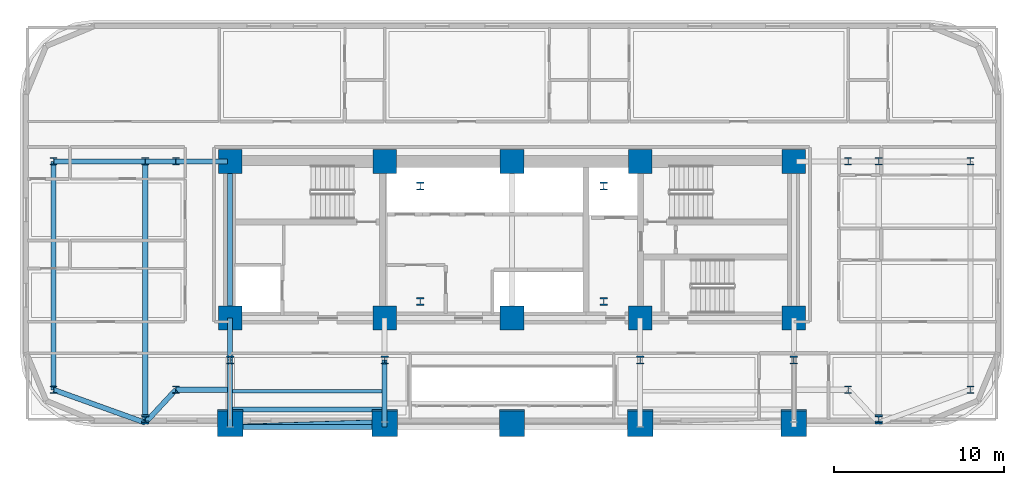
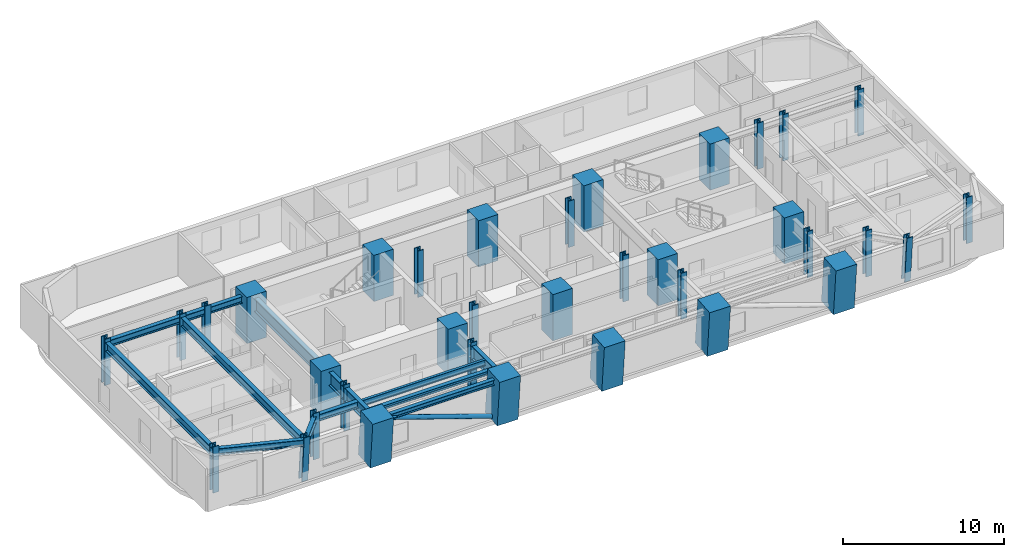
# One storey, part 1 of 15: 35 columns, 15 beams, 1 member.
"""IFC4 building model written with IfcOpenShell, lengths in metres."""

from ifc_helpers import new_model, si_unit, direction, frame, origin, origin_2d, place, context, subcontext, project, spatial, rectangle, hollow_circle, i_section, extrude, material, material_profile, profile_set, type_object, element, save


model = new_model("IFC4")

# Units and contexts
model_context = context("Model", 3, precision=1e-05, world=origin(), true_north=direction((0.0, 1.0)))
body_context = subcontext(model_context, "Body", "Model", "MODEL_VIEW")
ifc_project = project(units=[si_unit("LENGTHUNIT", "METRE"), si_unit("AREAUNIT", "SQUARE_METRE"), si_unit("VOLUMEUNIT", "CUBIC_METRE"), si_unit("PLANEANGLEUNIT", "RADIAN"), si_unit("MASSUNIT", "GRAM", prefix="KILO")], contexts=[model_context])

# Site, building, storey
site_placement = place(None, origin())
site = spatial("IfcSite", under=ifc_project, at=site_placement, CompositionType="ELEMENT")
building_placement = place(site_placement, origin())
building = spatial("IfcBuilding", under=site, at=building_placement, Name="Zarnavel Station Tower", CompositionType="ELEMENT")
storey_placement = place(building_placement, frame((0.0, 0.0, 50.0)))
storey = spatial("IfcBuildingStorey", under=building, at=storey_placement, Name="L13", CompositionType="ELEMENT", Elevation=50.0)

# Columns
ifc_material_1 = material(Name="Steel S460M", Category="steel")
ifc_material_profile_1 = material_profile(ifc_material_1, i_section(OverallWidth=0.424072265625, OverallDepth=0.449951171875, WebThickness=0.041015625, FlangeThickness=0.06494140625, FilletRadius=0.014892578125, at=origin_2d()), Name="HD400x509")
ifc_profile_set_1 = profile_set([ifc_material_profile_1], Name="Steel S460M")
column_type_1 = type_object("IfcColumnType", Name="EC_HD509", PredefinedType="COLUMN", material=ifc_profile_set_1)
for number, where, z_axis, x_axis, name in (
    (1, (1.800048828125, 23.60009765625, 0.0), (0.0, 0.0, 1.0), (1.0, 0.0, 0.0), "L13 Outer Wing South Column 1"),
    (2, (1.800048828125, 37.050048828125, 0.0), (0.0, 0.0, 1.0), (1.0, 0.0, 0.0), "L13 Outer Wing North Column 1"),
):
    element("IfcColumn", number, at=place(storey_placement, frame(where, z_axis=z_axis, x_axis=x_axis)), inside=storey, type_object=column_type_1, Name=name, PredefinedType="COLUMN", context=body_context, shape_type="SweptSolid", body=[
        extrude(i_section(OverallWidth=0.424072265625, OverallDepth=0.449951171875, WebThickness=0.041015625, FlangeThickness=0.06494140625, FilletRadius=0.014892578125, at=origin_2d()), origin(), (0.0, 0.0, 1.0), 3.5),
    ])
for number, where, z_axis, x_axis, name in (
    (3, (7.199951171875, 21.9169921875, 0.0), (0.0, -0.079960777917, 0.996798010629), (1.0, 0.0, 0.0), "L13 Raked Wing Column 2"),
    (4, (50.39990234375, 21.9169921875, 0.0), (0.0, -0.079960777917, 0.996798010629), (1.0, 0.0, 0.0), "L13 Raked Wing Column 3"),
):
    element("IfcColumn", number, at=place(storey_placement, frame(where, z_axis=z_axis, x_axis=x_axis)), inside=storey, type_object=column_type_1, Name=name, PredefinedType="COLUMN", context=body_context, shape_type="SweptSolid", body=[
        extrude(i_section(OverallWidth=0.424072265625, OverallDepth=0.449951171875, WebThickness=0.041015625, FlangeThickness=0.06494140625, FilletRadius=0.014892578125, at=origin_2d()), origin(), (0.0, 0.0, 1.0), 3.51123046875),
    ])
for number, where, z_axis, x_axis, name in (
    (5, (55.800048828125, 23.60009765625, 0.0), (0.0, 0.0, 1.0), (1.0, 0.0, 0.0), "L13 Outer Wing South Column 4"),
    (6, (55.800048828125, 37.050048828125, 0.0), (0.0, 0.0, 1.0), (1.0, 0.0, 0.0), "L13 Outer Wing North Column 4"),
):
    element("IfcColumn", number, at=place(storey_placement, frame(where, z_axis=z_axis, x_axis=x_axis)), inside=storey, type_object=column_type_1, Name=name, PredefinedType="COLUMN", context=body_context, shape_type="SweptSolid", body=[
        extrude(i_section(OverallWidth=0.424072265625, OverallDepth=0.449951171875, WebThickness=0.041015625, FlangeThickness=0.06494140625, FilletRadius=0.014892578125, at=origin_2d()), origin(), (0.0, 0.0, 1.0), 3.5),
    ])
ifc_material_2 = material(Name="Steel S460M", Category="steel")
ifc_material_profile_2 = material_profile(ifc_material_2, i_section(OverallWidth=0.424072265625, OverallDepth=0.449951171875, WebThickness=0.041015625, FlangeThickness=0.06494140625, FilletRadius=0.014892578125, at=origin_2d()), Name="HD400x509")
ifc_profile_set_2 = profile_set([ifc_material_profile_2], Name="Steel S460M")
column_type_2 = type_object("IfcColumnType", Name="IC_HD509", PredefinedType="COLUMN", material=ifc_profile_set_2)
for number, where, z_axis, x_axis, name in (
    (7, (23.39990234375, 28.800048828125, 0.0), (0.0, 0.0, 1.0), (1.0, 0.0, 0.0), "L13 Mast Spine Column 1"),
    (8, (34.199951171875, 28.800048828125, 0.0), (0.0, 0.0, 1.0), (1.0, 0.0, 0.0), "L13 Mast Spine Column 2"),
    (9, (34.199951171875, 35.60009765625, 0.0), (0.0, 0.0, 1.0), (1.0, 0.0, 0.0), "L13 Mast Spine Column 3"),
    (10, (23.39990234375, 35.60009765625, 0.0), (0.0, 0.0, 1.0), (1.0, 0.0, 0.0), "L13 Mast Spine Column 4"),
    (11, (12.199951171875, 25.35009765625, 0.0), (0.0, 0.0, 1.0), (1.0, 0.0, 0.0), "L13 Inner Spine Column 1"),
    (12, (21.300048828125, 25.35009765625, 0.0), (0.0, 0.0, 1.0), (1.0, 0.0, 0.0), "L13 Inner Spine Column 2"),
    (13, (36.35009765625, 25.35009765625, 0.0), (0.0, 0.0, 1.0), (1.0, 0.0, 0.0), "L13 Inner Spine Column 4"),
    (14, (45.39990234375, 25.35009765625, 0.0), (0.0, 0.0, 1.0), (1.0, 0.0, 0.0), "L13 Inner Spine Column 5"),
    (15, (9.0, 23.60009765625, 0.0), (0.0, 0.0, 1.0), (1.0, 0.0, 0.0), "L13 Inner Wing Spine Column 1-1"),
    (16, (9.0, 37.050048828125, 0.0), (0.0, 0.0, 1.0), (1.0, 0.0, 0.0), "L13 Inner Wing Spine Column 1-2"),
    (17, (48.60009765625, 23.60009765625, 0.0), (0.0, 0.0, 1.0), (1.0, 0.0, 0.0), "L13 Inner Wing Spine Column 2-1"),
    (18, (48.60009765625, 37.050048828125, 0.0), (0.0, 0.0, 1.0), (1.0, 0.0, 0.0), "L13 Inner Wing Spine Column 2-2"),
    (19, (7.199951171875, 37.050048828125, 0.0), (0.0, 0.0, 1.0), (1.0, 0.0, 0.0), "L13 Outer Wing North Column 2"),
    (20, (50.39990234375, 37.050048828125, 0.0), (0.0, 0.0, 1.0), (1.0, 0.0, 0.0), "L13 Outer Wing North Column 3"),
):
    element("IfcColumn", number, at=place(storey_placement, frame(where, z_axis=z_axis, x_axis=x_axis)), inside=storey, type_object=column_type_2, Name=name, PredefinedType="COLUMN", context=body_context, shape_type="SweptSolid", body=[
        extrude(i_section(OverallWidth=0.424072265625, OverallDepth=0.449951171875, WebThickness=0.041015625, FlangeThickness=0.06494140625, FilletRadius=0.014892578125, at=origin_2d()), origin(), (0.0, 0.0, 1.0), 3.5),
    ])
ifc_material_3 = material(Name="Concrete C60/75", Category="concrete")
ifc_material_profile_3 = material_profile(ifc_material_3, rectangle(XDim=1.39990234375, YDim=1.39990234375, at=origin_2d()), Name="RC1400x1400")
ifc_profile_set_3 = profile_set([ifc_material_profile_3], Name="Concrete C60/75")
column_type_3 = type_object("IfcColumnType", Name="IC_RC1400", PredefinedType="COLUMN", material=ifc_profile_set_3)
for number, where, z_axis, x_axis, name in (
    (21, (12.199951171875, 27.820068359375, 0.0), (0.0, 0.0, 1.0), (1.0, 0.0, 0.0), "L13 Core Spine Column 1-1"),
    (22, (12.199951171875, 37.050048828125, 0.0), (0.0, 0.0, 1.0), (1.0, 0.0, 0.0), "L13 Core Spine Column 1-2"),
    (23, (21.300048828125, 27.820068359375, 0.0), (0.0, 0.0, 1.0), (1.0, 0.0, 0.0), "L13 Core Spine Column 2-1"),
    (24, (21.300048828125, 37.050048828125, 0.0), (0.0, 0.0, 1.0), (1.0, 0.0, 0.0), "L13 Core Spine Column 2-2"),
    (25, (28.800048828125, 27.820068359375, 0.0), (0.0, 0.0, 1.0), (1.0, 0.0, 0.0), "L13 Core Spine Column 3-1"),
    (26, (28.800048828125, 37.050048828125, 0.0), (0.0, 0.0, 1.0), (1.0, 0.0, 0.0), "L13 Core Spine Column 3-2"),
    (27, (36.35009765625, 27.820068359375, 0.0), (0.0, 0.0, 1.0), (1.0, 0.0, 0.0), "L13 Core Spine Column 4-1"),
    (28, (36.35009765625, 37.050048828125, 0.0), (0.0, 0.0, 1.0), (1.0, 0.0, 0.0), "L13 Core Spine Column 4-2"),
    (29, (45.39990234375, 27.820068359375, 0.0), (0.0, 0.0, 1.0), (1.0, 0.0, 0.0), "L13 Core Spine Column 5-1"),
    (30, (45.39990234375, 37.050048828125, 0.0), (0.0, 0.0, 1.0), (1.0, 0.0, 0.0), "L13 Core Spine Column 5-2"),
):
    element("IfcColumn", number, at=place(storey_placement, frame(where, z_axis=z_axis, x_axis=x_axis)), inside=storey, type_object=column_type_3, Name=name, PredefinedType="COLUMN", context=body_context, shape_type="SweptSolid", body=[
        extrude(rectangle(XDim=1.39990234375, YDim=1.39990234375, at=origin_2d()), origin(), (0.0, 0.0, 1.0), 3.5),
    ])
ifc_material_4 = material(Name="Concrete C60/75", Category="concrete")
ifc_material_profile_4 = material_profile(ifc_material_4, rectangle(XDim=1.5, YDim=1.5, at=origin_2d()), Name="RC1500x1500")
ifc_profile_set_4 = profile_set([ifc_material_profile_4], Name="Concrete C60/75")
column_type_4 = type_object("IfcColumnType", Name="MC_RC1500", PredefinedType="COLUMN", material=ifc_profile_set_4)
for number, where, z_axis, x_axis, name in (
    (31, (12.199951171875, 21.697021484375, 0.0), (0.0, -0.090241349316, 0.995919925935), (1.0, 0.0, 0.0), "L13 Raked South Mega-Column 1"),
    (32, (21.300048828125, 21.697021484375, 0.0), (0.0, -0.090241349316, 0.995919925935), (1.0, 0.0, 0.0), "L13 Raked South Mega-Column 2"),
    (33, (28.800048828125, 21.697021484375, 0.0), (0.0, -0.090241349316, 0.995919925935), (1.0, 0.0, 0.0), "L13 Raked South Mega-Column 3"),
    (34, (36.35009765625, 21.697021484375, 0.0), (0.0, -0.090241349316, 0.995919925935), (1.0, 0.0, 0.0), "L13 Raked South Mega-Column 4"),
    (35, (45.39990234375, 21.697021484375, 0.0), (0.0, -0.090241349316, 0.995919925935), (1.0, 0.0, 0.0), "L13 Raked South Mega-Column 5"),
):
    element("IfcColumn", number, at=place(storey_placement, frame(where, z_axis=z_axis, x_axis=x_axis)), inside=storey, type_object=column_type_4, Name=name, PredefinedType="COLUMN", context=body_context, shape_type="SweptSolid", body=[
        extrude(rectangle(XDim=1.5, YDim=1.5, at=origin_2d()), origin(), (0.0, 0.0, 1.0), 3.514404296875),
    ])

# Member
ifc_material_5 = material(Name="Steel S355J2", Category="steel")
ifc_material_profile_5 = material_profile(ifc_material_5, hollow_circle(Radius=0.161865234375, WallThickness=0.012451171875, at=origin_2d()), Name="CHS323.9x12.5")
ifc_profile_set_5 = profile_set([ifc_material_profile_5], Name="Steel S355J2")
member_type = type_object("IfcMemberType", Name="DB_EXT_CHS324", PredefinedType="BRACE", material=ifc_profile_set_5)
member_placement = place(storey_placement, frame((21.300048828125, 21.697021484375, 0.0), z_axis=(-0.941635675338, -0.030390827854, 0.335259082669), x_axis=(0.032257711549, -0.999479584607, 0.0)))
element("IfcMember", 36, at=member_placement, inside=storey, type_object=member_type, Name="L13 Persian Exterior Diagonal Frame Brace 1", PredefinedType="BRACE", context=body_context, shape_type="SweptSolid", body=[
    extrude(hollow_circle(Radius=0.161865234375, WallThickness=0.012451171875, at=origin_2d()), origin(), (0.0, 0.0, 1.0), 9.6640625),
])

# Beams
ifc_material_6 = material(Name="Steel S355J2", Category="steel")
ifc_material_profile_6 = material_profile(ifc_material_6, i_section(OverallWidth=0.300048828125, OverallDepth=0.39990234375, WebThickness=0.013427734375, FlangeThickness=0.02392578125, FilletRadius=0.027099609375, at=origin_2d()), Name="HEB400")
ifc_profile_set_6 = profile_set([ifc_material_profile_6], Name="Steel S355J2")
beam_type_1 = type_object("IfcBeamType", Name="EB_HEB400", PredefinedType="SPANDREL", material=ifc_profile_set_6)
beam_1_placement = place(storey_placement, frame((12.199951171875, 21.4033203125, 3.0400390625), z_axis=(1.0, 0.0, 0.0), x_axis=(0.0, 1.0, 0.0)))
element("IfcBeam", 37, at=beam_1_placement, inside=storey, type_object=beam_type_1, Name="L13 South Raked Spandrel 1", PredefinedType="SPANDREL", context=body_context, shape_type="SweptSolid", body=[
    extrude(i_section(OverallWidth=0.300048828125, OverallDepth=0.39990234375, WebThickness=0.013427734375, FlangeThickness=0.02392578125, FilletRadius=0.027099609375, at=origin_2d()), origin(), (0.0, 0.0, 1.0), 9.10009765625),
])
ifc_material_7 = material(Name="Steel S355J2", Category="steel")
ifc_material_profile_7 = material_profile(ifc_material_7, i_section(OverallWidth=0.300048828125, OverallDepth=0.31005859375, WebThickness=0.009033203125, FlangeThickness=0.015380859375, FilletRadius=0.027099609375, at=origin_2d()), Name="HEA320")
ifc_profile_set_7 = profile_set([ifc_material_profile_7], Name="Steel S355J2")
beam_type_2 = type_object("IfcBeamType", Name="FB_HEA320", PredefinedType="BEAM", material=ifc_profile_set_7)
beam_2_placement = place(storey_placement, frame((12.344970703125, 22.435546875, 3.0849609375), z_axis=(1.0, 0.0, 0.0), x_axis=(0.0, 1.0, 0.0)))
element("IfcBeam", 38, at=beam_2_placement, inside=storey, type_object=beam_type_2, Name="L13 West Bay Beam 1", PredefinedType="BEAM", context=body_context, shape_type="SweptSolid", body=[
    extrude(i_section(OverallWidth=0.300048828125, OverallDepth=0.31005859375, WebThickness=0.009033203125, FlangeThickness=0.015380859375, FilletRadius=0.027099609375, at=origin_2d()), origin(), (0.0, 0.0, 1.0), 8.81005859375),
])
ifc_material_8 = material(Name="Steel S355J2", Category="steel")
ifc_material_profile_8 = material_profile(ifc_material_8, i_section(OverallWidth=0.18994140625, OverallDepth=0.449951171875, WebThickness=0.009521484375, FlangeThickness=0.0146484375, FilletRadius=0.02099609375, at=origin_2d()), Name="IPE450")
ifc_profile_set_8 = profile_set([ifc_material_profile_8], Name="Steel S355J2")
beam_type_3 = type_object("IfcBeamType", Name="FB_IPE450", PredefinedType="BEAM", material=ifc_profile_set_8)
beam_3_placement = place(storey_placement, frame((12.344970703125, 23.517822265625, 3.014892578125), z_axis=(1.0, 0.0, 0.0), x_axis=(0.0, 1.0, 0.0)))
element("IfcBeam", 39, at=beam_3_placement, inside=storey, type_object=beam_type_3, Name="L13 West Bay Beam 2", PredefinedType="BEAM", context=body_context, shape_type="SweptSolid", body=[
    extrude(i_section(OverallWidth=0.18994140625, OverallDepth=0.449951171875, WebThickness=0.009521484375, FlangeThickness=0.0146484375, FilletRadius=0.02099609375, at=origin_2d()), origin(), (0.0, 0.0, 1.0), 8.81005859375),
])
ifc_material_9 = material(Name="Steel S355J2", Category="steel")
ifc_material_profile_9 = material_profile(ifc_material_9, i_section(OverallWidth=0.300048828125, OverallDepth=0.5, WebThickness=0.014404296875, FlangeThickness=0.028076171875, FilletRadius=0.027099609375, at=origin_2d()), Name="HEB500")
ifc_profile_set_9 = profile_set([ifc_material_profile_9], Name="Steel S355J2")
beam_type_4 = type_object("IfcBeamType", Name="FG_HEB500", PredefinedType="USERDEFINED", material=ifc_profile_set_9)
beam_4_placement = place(storey_placement, frame((1.800048828125, 23.60009765625, 2.989990234375), z_axis=(0.940948136863, -0.338550740264, 0.0), x_axis=(0.338550740264, 0.940948136863, 0.0)))
element("IfcBeam", 40, at=beam_4_placement, inside=storey, type_object=beam_type_4, Name="L13 West Wing South Tie 1", ObjectType="GIRDER", PredefinedType="USERDEFINED", context=body_context, shape_type="SweptSolid", body=[
    extrude(i_section(OverallWidth=0.300048828125, OverallDepth=0.5, WebThickness=0.014404296875, FlangeThickness=0.028076171875, FilletRadius=0.027099609375, at=origin_2d()), origin(), (0.0, 0.0, 1.0), 5.73876953125),
])
beam_5_placement = place(storey_placement, frame((1.800048828125, 37.050048828125, 2.989990234375), z_axis=(1.0, 0.0, 0.0), x_axis=(0.0, 1.0, 0.0)))
element("IfcBeam", 41, at=beam_5_placement, inside=storey, type_object=beam_type_4, Name="L13 West Wing North Tie 1", ObjectType="GIRDER", PredefinedType="USERDEFINED", context=body_context, shape_type="SweptSolid", body=[
    extrude(i_section(OverallWidth=0.300048828125, OverallDepth=0.5, WebThickness=0.014404296875, FlangeThickness=0.028076171875, FilletRadius=0.027099609375, at=origin_2d()), origin(), (0.0, 0.0, 1.0), 5.39990234375),
])
beam_6_placement = place(storey_placement, frame((7.199951171875, 21.6572265625, 2.989990234375), z_axis=(0.67963041271, 0.733554702882, 0.0), x_axis=(-0.733554702882, 0.67963041271, 0.0)))
element("IfcBeam", 42, at=beam_6_placement, inside=storey, type_object=beam_type_4, Name="L13 West Wing South Tie 2", ObjectType="GIRDER", PredefinedType="USERDEFINED", context=body_context, shape_type="SweptSolid", body=[
    extrude(i_section(OverallWidth=0.300048828125, OverallDepth=0.5, WebThickness=0.014404296875, FlangeThickness=0.028076171875, FilletRadius=0.027099609375, at=origin_2d()), origin(), (0.0, 0.0, 1.0), 2.648681640625),
])
beam_7_placement = place(storey_placement, frame((7.199951171875, 37.050048828125, 2.989990234375), z_axis=(1.0, 0.0, 0.0), x_axis=(0.0, 1.0, 0.0)))
element("IfcBeam", 43, at=beam_7_placement, inside=storey, type_object=beam_type_4, Name="L13 West Wing North Tie 2", ObjectType="GIRDER", PredefinedType="USERDEFINED", context=body_context, shape_type="SweptSolid", body=[
    extrude(i_section(OverallWidth=0.300048828125, OverallDepth=0.5, WebThickness=0.014404296875, FlangeThickness=0.028076171875, FilletRadius=0.027099609375, at=origin_2d()), origin(), (0.0, 0.0, 1.0), 1.800048828125),
])
for number, where, z_axis, x_axis, name in (
    (44, (9.0, 23.60009765625, 2.989990234375), (1.0, 0.0, 0.0), (0.0, 1.0, 0.0), "L13 West Wing South Tie 3"),
    (45, (9.0, 37.050048828125, 2.989990234375), (1.0, 0.0, 0.0), (0.0, 1.0, 0.0), "L13 West Wing North Tie 3"),
):
    element("IfcBeam", number, at=place(storey_placement, frame(where, z_axis=z_axis, x_axis=x_axis)), inside=storey, type_object=beam_type_4, Name=name, ObjectType="GIRDER", PredefinedType="USERDEFINED", context=body_context, shape_type="SweptSolid", body=[
        extrude(i_section(OverallWidth=0.300048828125, OverallDepth=0.5, WebThickness=0.014404296875, FlangeThickness=0.028076171875, FilletRadius=0.027099609375, at=origin_2d()), origin(), (0.0, 0.0, 1.0), 3.054931640625),
    ])
ifc_material_10 = material(Name="Steel S355J2", Category="steel")
ifc_material_profile_10 = material_profile(ifc_material_10, i_section(OverallWidth=0.300048828125, OverallDepth=0.64990234375, WebThickness=0.01611328125, FlangeThickness=0.031005859375, FilletRadius=0.027099609375, at=origin_2d()), Name="HEB650")
ifc_profile_set_10 = profile_set([ifc_material_profile_10], Name="Steel S355J2")
beam_type_5 = type_object("IfcBeamType", Name="FG_HEB650", PredefinedType="USERDEFINED", material=ifc_profile_set_10)
beam_8_placement = place(storey_placement, frame((1.800048828125, 23.60009765625, 2.9150390625), z_axis=(0.0, 1.0, 0.0), x_axis=(-1.0, 0.0, 0.0)))
element("IfcBeam", 46, at=beam_8_placement, inside=storey, type_object=beam_type_5, Name="L13 Wing NS Girder 1", ObjectType="GIRDER", PredefinedType="USERDEFINED", context=body_context, shape_type="SweptSolid", body=[
    extrude(i_section(OverallWidth=0.300048828125, OverallDepth=0.64990234375, WebThickness=0.01611328125, FlangeThickness=0.031005859375, FilletRadius=0.027099609375, at=origin_2d()), origin(), (0.0, 0.0, 1.0), 13.449951171875),
])
beam_9_placement = place(storey_placement, frame((7.199951171875, 21.6572265625, 2.9150390625), z_axis=(0.0, 1.0, 0.0), x_axis=(-1.0, 0.0, 0.0)))
element("IfcBeam", 47, at=beam_9_placement, inside=storey, type_object=beam_type_5, Name="L13 Wing NS Girder 2", ObjectType="GIRDER", PredefinedType="USERDEFINED", context=body_context, shape_type="SweptSolid", body=[
    extrude(i_section(OverallWidth=0.300048828125, OverallDepth=0.64990234375, WebThickness=0.01611328125, FlangeThickness=0.031005859375, FilletRadius=0.027099609375, at=origin_2d()), origin(), (0.0, 0.0, 1.0), 15.392822265625),
])
ifc_material_11 = material(Name="Steel S460M", Category="steel")
ifc_material_profile_11 = material_profile(ifc_material_11, i_section(OverallWidth=0.302001953125, OverallDepth=1.008056640625, WebThickness=0.02099609375, FlangeThickness=0.0400390625, FilletRadius=0.030029296875, at=origin_2d()), Name="HEM1000")
ifc_profile_set_11 = profile_set([ifc_material_profile_11], Name="Steel S460M")
beam_type_6 = type_object("IfcBeamType", Name="TG_HEM1000", PredefinedType="USERDEFINED", material=ifc_profile_set_11)
beam_10_placement = place(storey_placement, frame((12.199951171875, 27.820068359375, 2.736083984375), z_axis=(0.0, 1.0, 0.0), x_axis=(-1.0, 0.0, 0.0)))
element("IfcBeam", 48, at=beam_10_placement, inside=storey, type_object=beam_type_6, Name="L13 Core Spine Coupling Girder 1", ObjectType="GIRDER", PredefinedType="USERDEFINED", context=body_context, shape_type="SweptSolid", body=[
    extrude(i_section(OverallWidth=0.302001953125, OverallDepth=1.008056640625, WebThickness=0.02099609375, FlangeThickness=0.0400390625, FilletRadius=0.030029296875, at=origin_2d()), origin(), (0.0, 0.0, 1.0), 9.22998046875),
])
beam_11_placement = place(storey_placement, frame((12.199951171875, 21.4033203125, 2.736083984375), z_axis=(0.0, 1.0, 0.0), x_axis=(-1.0, 0.0, 0.0)))
element("IfcBeam", 49, at=beam_11_placement, inside=storey, type_object=beam_type_6, Name="L13 South-Zone NS Girder 1", ObjectType="GIRDER", PredefinedType="USERDEFINED", context=body_context, shape_type="SweptSolid", body=[
    extrude(i_section(OverallWidth=0.302001953125, OverallDepth=1.008056640625, WebThickness=0.02099609375, FlangeThickness=0.0400390625, FilletRadius=0.030029296875, at=origin_2d()), origin(), (0.0, 0.0, 1.0), 3.94677734375),
])
beam_12_placement = place(storey_placement, frame((12.199951171875, 25.35009765625, 2.736083984375), z_axis=(0.0, 1.0, 0.0), x_axis=(-1.0, 0.0, 0.0)))
element("IfcBeam", 50, at=beam_12_placement, inside=storey, type_object=beam_type_6, Name="L13 Inner-Zone NS Girder 1", ObjectType="GIRDER", PredefinedType="USERDEFINED", context=body_context, shape_type="SweptSolid", body=[
    extrude(i_section(OverallWidth=0.302001953125, OverallDepth=1.008056640625, WebThickness=0.02099609375, FlangeThickness=0.0400390625, FilletRadius=0.030029296875, at=origin_2d()), origin(), (0.0, 0.0, 1.0), 2.469970703125),
])
beam_13_placement = place(storey_placement, frame((21.300048828125, 21.4033203125, 2.736083984375), z_axis=(0.0, 1.0, 0.0), x_axis=(-1.0, 0.0, 0.0)))
element("IfcBeam", 51, at=beam_13_placement, inside=storey, type_object=beam_type_6, Name="L13 South-Zone NS Girder 2", ObjectType="GIRDER", PredefinedType="USERDEFINED", context=body_context, shape_type="SweptSolid", body=[
    extrude(i_section(OverallWidth=0.302001953125, OverallDepth=1.008056640625, WebThickness=0.02099609375, FlangeThickness=0.0400390625, FilletRadius=0.030029296875, at=origin_2d()), origin(), (0.0, 0.0, 1.0), 3.94677734375),
])

save(model, "model.ifc")
